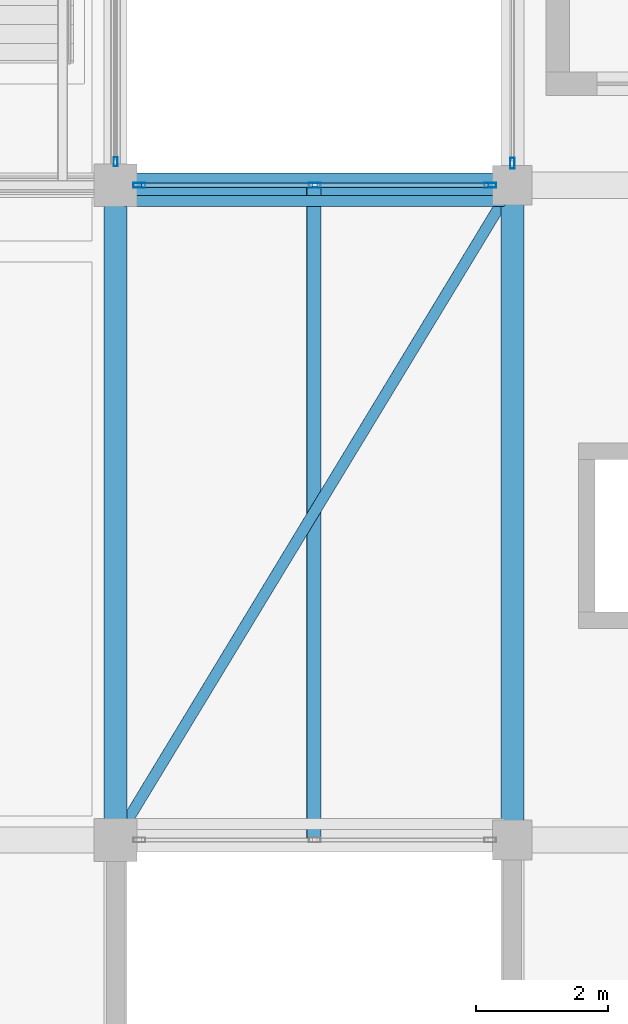
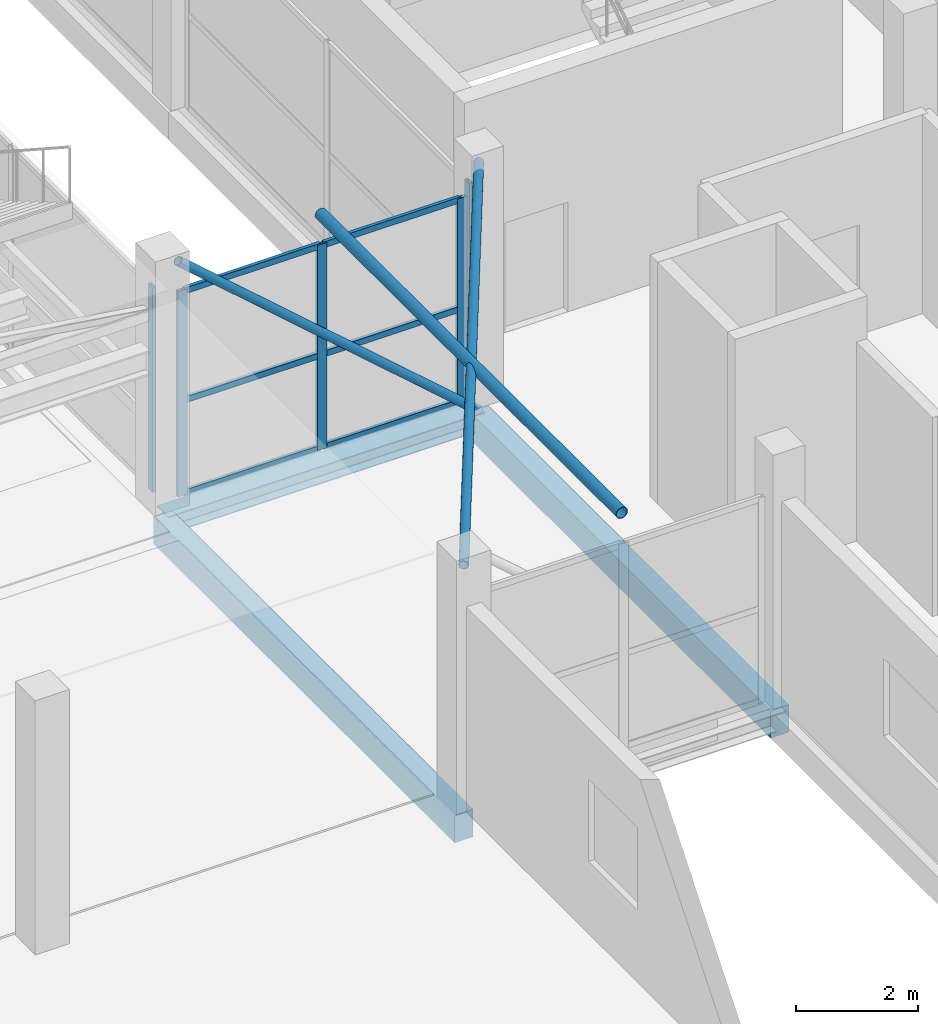
# One storey, part 15 of 66: 14 members, 3 beams, 3 elements without a shape of their own.
"""IFC4 building model written with IfcOpenShell, lengths in metres."""

from ifc_helpers import new_model, si_unit, direction, frame, origin, origin_2d, place, context, subcontext, project, spatial, rectangle, hollow_rectangle, hollow_circle, i_section, extrude, material, layer, layer_set, material_profile, profile_set, type_object, element, aggregate, save


model = new_model("IFC4")

# Units and contexts
model_context = context("Model", 3, precision=1e-05, world=origin(), true_north=direction((0.0, 1.0)))
body_context = subcontext(model_context, "Body", "Model", "MODEL_VIEW")
ifc_project = project(units=[si_unit("LENGTHUNIT", "METRE"), si_unit("AREAUNIT", "SQUARE_METRE"), si_unit("VOLUMEUNIT", "CUBIC_METRE"), si_unit("PLANEANGLEUNIT", "RADIAN"), si_unit("MASSUNIT", "GRAM", prefix="KILO")], contexts=[model_context])

# Site, building, storey
site_placement = place(None, origin())
site = spatial("IfcSite", under=ifc_project, at=site_placement, CompositionType="ELEMENT")
building_placement = place(site_placement, origin())
building = spatial("IfcBuilding", under=site, at=building_placement, Name="Sillaruma Civic Art Gallery", CompositionType="ELEMENT")
storey_placement = place(building_placement, frame((0.0, 0.0, 57.1201171875)))
storey = spatial("IfcBuildingStorey", under=building, at=storey_placement, Name="L11", CompositionType="ELEMENT", Elevation=57.1201171875)

# Beams
ifc_material_1 = material(Name="Structural Steel ASTM A992 Gr.50", Category="steel")
ifc_material_profile_1 = material_profile(ifc_material_1, i_section(OverallWidth=0.368896484375, OverallDepth=0.35595703125, WebThickness=0.01123046875, FlangeThickness=0.01806640625, FilletRadius=0.014892578125, at=origin_2d()), Name="W360x134")
ifc_profile_set_1 = profile_set([ifc_material_profile_1], Name="Structural Steel ASTM A992 Gr.50")
beam_type_1 = type_object("IfcBeamType", Name="BM-BRIDGE-W360x134", PredefinedType="SPANDREL", material=ifc_profile_set_1)
beam_placement = place(storey_placement, frame((92.0, 49.5, -0.38818359375), z_axis=(1.0, 0.0, 0.0), x_axis=(0.0, 1.0, 0.0)))
element("IfcBeam", 1, at=beam_placement, inside=storey, type_object=beam_type_1, Name="Sky-Bridge Steel Edge Girder (BRG-S:L11:N)", PredefinedType="SPANDREL", context=body_context, shape_type="SweptSolid", body=[
    extrude(i_section(OverallWidth=0.368896484375, OverallDepth=0.35595703125, WebThickness=0.01123046875, FlangeThickness=0.01806640625, FilletRadius=0.014892578125, at=origin_2d()), origin(), (0.0, 0.0, 1.0), 6.0),
])
ifc_material_2 = material(Name="Concrete H35 (35 MPa)", Category="concrete")
ifc_material_profile_2 = material_profile(ifc_material_2, rectangle(XDim=0.35009765625, YDim=0.550048828125, at=origin_2d()), Name="RCB350x550")
ifc_profile_set_2 = profile_set([ifc_material_profile_2], Name="Concrete H35 (35 MPa)")
beam_type_2 = type_object("IfcBeamType", Name="BM-SPANDREL-RCB350x550", PredefinedType="SPANDREL", material=ifc_profile_set_2)
for number, where, z_axis, x_axis, name in (
    (2, (92.0, 39.60009765625, -0.525146484375), (0.0, 1.0, 0.0), (-1.0, 0.0, 0.0), "Beam BS-04 (L10:K:5-6)"),
    (3, (98.0, 39.60009765625, -0.525146484375), (0.0, 1.0, 0.0), (-1.0, 0.0, 0.0), "Beam BS-04 (L10:L:5-6)"),
):
    element("IfcBeam", number, at=place(storey_placement, frame(where, z_axis=z_axis, x_axis=x_axis)), inside=storey, type_object=beam_type_2, Name=name, PredefinedType="SPANDREL", context=body_context, shape_type="SweptSolid", body=[
        extrude(rectangle(XDim=0.35009765625, YDim=0.550048828125, at=origin_2d()), origin(), (0.0, 0.0, 1.0), 9.89990234375),
    ])

# Members
ifc_material_3 = material(Name="Structural Steel ASTM A500 Gr.C", Category="steel")
ifc_material_profile_3 = material_profile(ifc_material_3, hollow_circle(Radius=0.084228515625, WallThickness=0.007080078125, at=origin_2d()), Name="CHS168.3x7.1")
ifc_profile_set_3 = profile_set([ifc_material_profile_3], Name="Structural Steel ASTM A500 Gr.C")
member_type_1 = type_object("IfcMemberType", Name="MEM-BRIDGE-BRACE", PredefinedType="BRACE", material=ifc_profile_set_3)
member_1_placement = place(storey_placement, frame((97.85009765625, 49.260009765625, -0.080078125), z_axis=(-0.752424953383, 0.0, 0.658677986217), x_axis=(0.0, -1.0, 0.0)))
element("IfcMember", 4, at=member_1_placement, inside=storey, type_object=member_type_1, Name="Sky-Bridge Elevation Truss Web Brace (BRG-S:L11:N)", PredefinedType="BRACE", context=body_context, shape_type="SweptSolid", body=[
    extrude(hollow_circle(Radius=0.084228515625, WallThickness=0.007080078125, at=origin_2d()), origin(), (0.0, 0.0, 1.0), 7.57568359375),
])
member_2_placement = place(storey_placement, frame((92.0, 39.60009765625, 4.7119140625), z_axis=(0.518305455332, 0.855195565337, 0.0), x_axis=(-0.855195565337, 0.518305455332, 0.0)))
element("IfcMember", 5, at=member_2_placement, inside=storey, type_object=member_type_1, Name="Sky-Bridge Diagonal Plan Brace (BRG-S:L12)", PredefinedType="BRACE", context=body_context, shape_type="SweptSolid", body=[
    extrude(hollow_circle(Radius=0.084228515625, WallThickness=0.007080078125, at=origin_2d()), origin(), (0.0, 0.0, 1.0), 11.576171875),
])
ifc_material_profile_4 = material_profile(ifc_material_3, hollow_circle(Radius=0.109619140625, WallThickness=0.00830078125, at=origin_2d()), Name="CHS219.1x8.2")
ifc_profile_set_4 = profile_set([ifc_material_profile_4], Name="Structural Steel ASTM A500 Gr.C")
member_type_2 = type_object("IfcMemberType", Name="MEM-BRIDGE-STRUT", PredefinedType="STRUT", material=ifc_profile_set_4)
member_3_placement = place(storey_placement, frame((95.0, 39.60009765625, 4.7119140625), z_axis=(0.0, 1.0, 0.0), x_axis=(-1.0, 0.0, 0.0)))
element("IfcMember", 6, at=member_3_placement, inside=storey, type_object=member_type_2, Name="Sky-Bridge Transverse Strut (BRG-S:L12)", PredefinedType="STRUT", context=body_context, shape_type="SweptSolid", body=[
    extrude(hollow_circle(Radius=0.109619140625, WallThickness=0.00830078125, at=origin_2d()), origin(), (0.0, 0.0, 1.0), 9.89990234375),
])

# Curtain wall, member
ifc_material_4 = material(Name="Thermally Broken Extruded Aluminium 6063-T6", Category="aluminium")
ifc_layer_1 = layer(ifc_material_4, 0.139892578125, Name="Thermally Broken Extruded Aluminium 6063-T6")
ifc_layer_set_1 = layer_set([ifc_layer_1], Name="Thermally Broken Extruded Aluminium 6063-T6")
curtain_wall_type_1 = type_object("IfcCurtainWallType", Name="CW-UNI-71", PredefinedType="NOTDEFINED", material=ifc_layer_set_1)
curtain_wall_1_placement = place(storey_placement, origin())
curtain_wall_1 = element("IfcCurtainWall", 7, at=curtain_wall_1_placement, inside=storey, type_object=curtain_wall_type_1, Name="Unitised Curtain Wall CW-71 (CW-L11-WBE-4)", PredefinedType="NOTDEFINED")
ifc_material_profile_5 = material_profile(ifc_material_4, hollow_rectangle(XDim=0.06005859375, YDim=0.139892578125, WallThickness=0.00341796875, at=origin_2d()), Name="CWM60x140")
ifc_profile_set_5 = profile_set([ifc_material_profile_5], Name="Thermally Broken Extruded Aluminium 6063-T6")
member_type_3 = type_object("IfcMemberType", Name="MEM-MUL-CWM60x140", PredefinedType="MULLION", material=ifc_profile_set_5)
member_4_placement = place(storey_placement, frame((92.0, 49.85498046875, 0.0), z_axis=(0.0, 0.0, 1.0), x_axis=(-1.0, 0.0, 0.0)))
member_4 = element("IfcMember", 8, at=member_4_placement, type_object=member_type_3, Name="CW-71 mullion 1", PredefinedType="MULLION", context=body_context, shape_type="SweptSolid", body=[
    extrude(hollow_rectangle(XDim=0.06005859375, YDim=0.139892578125, WallThickness=0.00341796875, at=origin_2d()), origin(), (0.0, 0.0, 1.0), 4.119873046875),
])
aggregate(curtain_wall_1, [member_4])

ifc_layer_2 = layer(ifc_material_4, 0.159912109375, Name="Thermally Broken Extruded Aluminium 6063-T6")
ifc_layer_set_2 = layer_set([ifc_layer_2], Name="Thermally Broken Extruded Aluminium 6063-T6")
curtain_wall_type_2 = type_object("IfcCurtainWallType", Name="CW-UNI-80", PredefinedType="NOTDEFINED", material=ifc_layer_set_2)
curtain_wall_2_placement = place(storey_placement, origin())
curtain_wall_2 = element("IfcCurtainWall", 9, at=curtain_wall_2_placement, inside=storey, type_object=curtain_wall_type_2, Name="Unitised Curtain Wall CW-80 (CW-L11-EBW-4)", PredefinedType="NOTDEFINED")
ifc_material_profile_6 = material_profile(ifc_material_4, hollow_rectangle(XDim=0.06494140625, YDim=0.159912109375, WallThickness=0.00390625, at=origin_2d()), Name="CWM65x160")
ifc_profile_set_6 = profile_set([ifc_material_profile_6], Name="Thermally Broken Extruded Aluminium 6063-T6")
member_type_4 = type_object("IfcMemberType", Name="MEM-MUL-CWM65x160", PredefinedType="MULLION", material=ifc_profile_set_6)
member_5_placement = place(storey_placement, frame((98.0, 49.83251953125, 0.0), z_axis=(0.0, 0.0, 1.0), x_axis=(-1.0, 0.0, 0.0)))
member_5 = element("IfcMember", 10, at=member_5_placement, type_object=member_type_4, Name="CW-80 mullion 1", PredefinedType="MULLION", context=body_context, shape_type="SweptSolid", body=[
    extrude(hollow_rectangle(XDim=0.06494140625, YDim=0.159912109375, WallThickness=0.00390625, at=origin_2d()), origin(), (0.0, 0.0, 1.0), 4.119873046875),
])
aggregate(curtain_wall_2, [member_5])

# Curtain wall, members
ifc_layer_3 = layer(ifc_material_4, 0.179931640625, Name="Thermally Broken Extruded Aluminium 6063-T6")
ifc_layer_set_3 = layer_set([ifc_layer_3], Name="Thermally Broken Extruded Aluminium 6063-T6")
curtain_wall_type_3 = type_object("IfcCurtainWallType", Name="CW-UNI-89", PredefinedType="NOTDEFINED", material=ifc_layer_set_3)
curtain_wall_3_placement = place(storey_placement, origin())
curtain_wall_3 = element("IfcCurtainWall", 11, at=curtain_wall_3_placement, inside=storey, type_object=curtain_wall_type_3, Name="Unitised Curtain Wall CW-89 (CW-BRG-S-L11-N)", PredefinedType="NOTDEFINED")
ifc_material_profile_7 = material_profile(ifc_material_4, hollow_rectangle(XDim=0.070068359375, YDim=0.179931640625, WallThickness=0.00390625, at=origin_2d()), Name="CWM70x180")
ifc_profile_set_7 = profile_set([ifc_material_profile_7], Name="Thermally Broken Extruded Aluminium 6063-T6")
member_type_5 = type_object("IfcMemberType", Name="MEM-MUL-CWM70x180", PredefinedType="MULLION", material=ifc_profile_set_7)
member_6_placement = place(storey_placement, frame((92.360107421875, 49.5, 0.0), z_axis=(0.0, 0.0, 1.0), x_axis=(0.0, 1.0, 0.0)))
member_6 = element("IfcMember", 12, at=member_6_placement, type_object=member_type_5, Name="CW-89 mullion 1", PredefinedType="MULLION", context=body_context, shape_type="SweptSolid", body=[
    extrude(hollow_rectangle(XDim=0.070068359375, YDim=0.179931640625, WallThickness=0.00390625, at=origin_2d()), origin(), (0.0, 0.0, 1.0), 4.119873046875),
])
member_7_placement = place(storey_placement, frame((95.012451171875, 49.5, 0.0), z_axis=(0.0, 0.0, 1.0), x_axis=(0.0, 1.0, 0.0)))
member_7 = element("IfcMember", 13, at=member_7_placement, type_object=member_type_5, Name="CW-89 mullion 2", PredefinedType="MULLION", context=body_context, shape_type="SweptSolid", body=[
    extrude(hollow_rectangle(XDim=0.070068359375, YDim=0.179931640625, WallThickness=0.00390625, at=origin_2d()), origin(), (0.0, 0.0, 1.0), 4.119873046875),
])
member_8_placement = place(storey_placement, frame((97.6650390625, 49.5, 0.0), z_axis=(0.0, 0.0, 1.0), x_axis=(0.0, 1.0, 0.0)))
member_8 = element("IfcMember", 14, at=member_8_placement, type_object=member_type_5, Name="CW-89 mullion 3", PredefinedType="MULLION", context=body_context, shape_type="SweptSolid", body=[
    extrude(hollow_rectangle(XDim=0.070068359375, YDim=0.179931640625, WallThickness=0.00390625, at=origin_2d()), origin(), (0.0, 0.0, 1.0), 4.119873046875),
])
ifc_material_profile_8 = material_profile(ifc_material_4, hollow_rectangle(XDim=0.06494140625, YDim=0.1201171875, WallThickness=0.00341796875, at=origin_2d()), Name="CWT65x120")
ifc_profile_set_8 = profile_set([ifc_material_profile_8], Name="Thermally Broken Extruded Aluminium 6063-T6")
member_type_6 = type_object("IfcMemberType", Name="MEM-TRN-CWT65x120", PredefinedType="USERDEFINED", material=ifc_profile_set_8)
member_9_placement = place(storey_placement, frame((92.39501953125, 49.5, 0.032470703125), z_axis=(1.0, 0.0, 0.0), x_axis=(0.0, 1.0, 0.0)))
member_9 = element("IfcMember", 15, at=member_9_placement, type_object=member_type_6, Name="CW-89 transom 1.1", ObjectType="TRANSOM", PredefinedType="USERDEFINED", context=body_context, shape_type="SweptSolid", body=[
    extrude(hollow_rectangle(XDim=0.06494140625, YDim=0.1201171875, WallThickness=0.00341796875, at=origin_2d()), origin(), (0.0, 0.0, 1.0), 2.58251953125),
])
member_10_placement = place(storey_placement, frame((92.39501953125, 49.5, 1.89501953125), z_axis=(1.0, 0.0, 0.0), x_axis=(0.0, 1.0, 0.0)))
member_10 = element("IfcMember", 16, at=member_10_placement, type_object=member_type_6, Name="CW-89 transom 1.2", ObjectType="TRANSOM", PredefinedType="USERDEFINED", context=body_context, shape_type="SweptSolid", body=[
    extrude(hollow_rectangle(XDim=0.06494140625, YDim=0.1201171875, WallThickness=0.00341796875, at=origin_2d()), origin(), (0.0, 0.0, 1.0), 2.58251953125),
])
member_11_placement = place(storey_placement, frame((92.39501953125, 49.5, 4.08740234375), z_axis=(1.0, 0.0, 0.0), x_axis=(0.0, 1.0, 0.0)))
member_11 = element("IfcMember", 17, at=member_11_placement, type_object=member_type_6, Name="CW-89 transom 1.3", ObjectType="TRANSOM", PredefinedType="USERDEFINED", context=body_context, shape_type="SweptSolid", body=[
    extrude(hollow_rectangle(XDim=0.06494140625, YDim=0.1201171875, WallThickness=0.00341796875, at=origin_2d()), origin(), (0.0, 0.0, 1.0), 2.58251953125),
])
member_12_placement = place(storey_placement, frame((95.047607421875, 49.5, 0.032470703125), z_axis=(1.0, 0.0, 0.0), x_axis=(0.0, 1.0, 0.0)))
member_12 = element("IfcMember", 18, at=member_12_placement, type_object=member_type_6, Name="CW-89 transom 2.1", ObjectType="TRANSOM", PredefinedType="USERDEFINED", context=body_context, shape_type="SweptSolid", body=[
    extrude(hollow_rectangle(XDim=0.06494140625, YDim=0.1201171875, WallThickness=0.00341796875, at=origin_2d()), origin(), (0.0, 0.0, 1.0), 2.582275390625),
])
member_13_placement = place(storey_placement, frame((95.047607421875, 49.5, 1.89501953125), z_axis=(1.0, 0.0, 0.0), x_axis=(0.0, 1.0, 0.0)))
member_13 = element("IfcMember", 19, at=member_13_placement, type_object=member_type_6, Name="CW-89 transom 2.2", ObjectType="TRANSOM", PredefinedType="USERDEFINED", context=body_context, shape_type="SweptSolid", body=[
    extrude(hollow_rectangle(XDim=0.06494140625, YDim=0.1201171875, WallThickness=0.00341796875, at=origin_2d()), origin(), (0.0, 0.0, 1.0), 2.582275390625),
])
member_14_placement = place(storey_placement, frame((95.047607421875, 49.5, 4.08740234375), z_axis=(1.0, 0.0, 0.0), x_axis=(0.0, 1.0, 0.0)))
member_14 = element("IfcMember", 20, at=member_14_placement, type_object=member_type_6, Name="CW-89 transom 2.3", ObjectType="TRANSOM", PredefinedType="USERDEFINED", context=body_context, shape_type="SweptSolid", body=[
    extrude(hollow_rectangle(XDim=0.06494140625, YDim=0.1201171875, WallThickness=0.00341796875, at=origin_2d()), origin(), (0.0, 0.0, 1.0), 2.582275390625),
])
aggregate(curtain_wall_3, [member_6, member_7, member_8, member_9, member_10, member_11, member_12, member_13, member_14])

save(model, "model.ifc")
